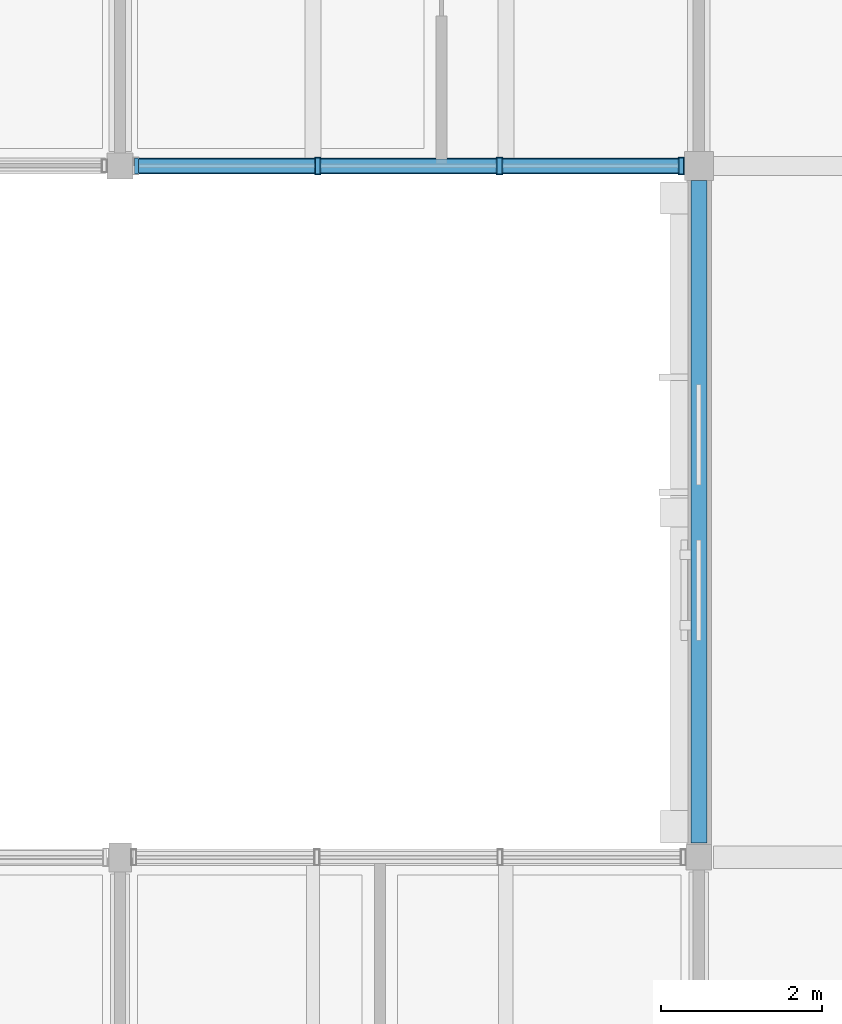
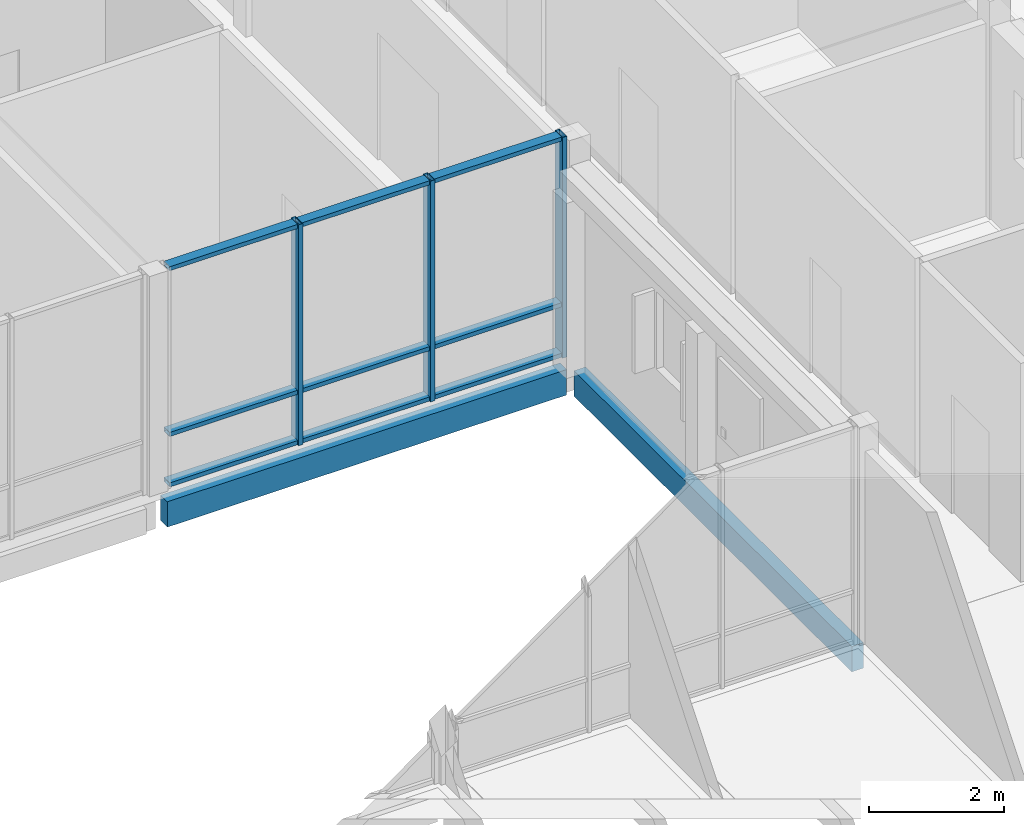
# One storey, part 10 of 115: 12 members, 2 beams, 1 element without a shape of its own.
"""IFC4 building model written with IfcOpenShell, lengths in metres."""

from ifc_helpers import new_model, si_unit, direction, frame, origin, origin_2d, place, context, subcontext, project, spatial, rectangle, hollow_rectangle, extrude, material, material_profile, profile_set, type_object, element, aggregate, save


model = new_model("IFC4")

# Units and contexts
model_context = context("Model", 3, precision=1e-05, world=origin(), true_north=direction((0.0, 1.0)))
body_context = subcontext(model_context, "Body", "Model", "MODEL_VIEW")
ifc_project = project(units=[si_unit("LENGTHUNIT", "METRE"), si_unit("AREAUNIT", "SQUARE_METRE"), si_unit("VOLUMEUNIT", "CUBIC_METRE"), si_unit("PLANEANGLEUNIT", "RADIAN"), si_unit("MASSUNIT", "GRAM", prefix="KILO")], contexts=[model_context])

# Site, building, storey
site_placement = place(None, origin())
site = spatial("IfcSite", under=ifc_project, at=site_placement, CompositionType="ELEMENT")
building_placement = place(site_placement, origin())
building = spatial("IfcBuilding", under=site, at=building_placement, Name="Hawrajan Terrace Health Centre", CompositionType="ELEMENT")
storey_placement = place(building_placement, frame((0.0, 0.0, 9.0)))
storey = spatial("IfcBuildingStorey", under=building, at=storey_placement, Name="L02", CompositionType="ELEMENT", Elevation=9.0)

# Curtain wall, members
ifc_material_1 = material(Name="Anodized bronze aluminium and low-E solar glazing", Category="aluminium")
curtain_wall_type = type_object("IfcCurtainWallType", Name="CW_Diagnostic_SeriesM1", PredefinedType="USERDEFINED", material=ifc_material_1)
curtain_wall_placement = place(storey_placement, origin())
curtain_wall = element("IfcCurtainWall", 1, at=curtain_wall_placement, inside=storey, type_object=curtain_wall_type, Name="Curtain wall CW-L02-119", ObjectType="UNITISED CURTAIN WALL", PredefinedType="USERDEFINED")
ifc_material_2 = material(Name="Anodized bronze aluminium 6063-T6", Category="aluminium")
ifc_material_profile_1 = material_profile(ifc_material_2, hollow_rectangle(XDim=0.074951171875, YDim=0.219970703125, WallThickness=0.0048828125, at=origin_2d()), Name="CW MUL 75x220")
ifc_profile_set_1 = profile_set([ifc_material_profile_1], Name="Anodized bronze aluminium 6063-T6")
member_type_1 = type_object("IfcMemberType", Name="CWMullion_75x220", PredefinedType="MULLION", material=ifc_profile_set_1)
member_1_placement = place(storey_placement, frame((14.25927734375, 27.199951171875, -0.0048828125), z_axis=(0.0, 0.0, 1.0), x_axis=(1.0, 0.0, 0.0)))
member_1 = element("IfcMember", 2, at=member_1_placement, type_object=member_type_1, Name="Mullion CW-L02-119-M2", PredefinedType="MULLION", context=body_context, shape_type="SweptSolid", body=[
    extrude(hollow_rectangle(XDim=0.074951171875, YDim=0.219970703125, WallThickness=0.0048828125, at=origin_2d()), origin(), (0.0, 0.0, 1.0), 4.0),
])
member_2_placement = place(storey_placement, frame((16.520751953125, 27.199951171875, -0.0048828125), z_axis=(0.0, 0.0, 1.0), x_axis=(1.0, 0.0, 0.0)))
member_2 = element("IfcMember", 3, at=member_2_placement, type_object=member_type_1, Name="Mullion CW-L02-119-M3", PredefinedType="MULLION", context=body_context, shape_type="SweptSolid", body=[
    extrude(hollow_rectangle(XDim=0.074951171875, YDim=0.219970703125, WallThickness=0.0048828125, at=origin_2d()), origin(), (0.0, 0.0, 1.0), 4.0),
])
member_3_placement = place(storey_placement, frame((18.782470703125, 27.199951171875, -0.0048828125), z_axis=(0.0, 0.0, 1.0), x_axis=(1.0, 0.0, 0.0)))
member_3 = element("IfcMember", 4, at=member_3_placement, type_object=member_type_1, Name="Mullion CW-L02-119-M4", PredefinedType="MULLION", context=body_context, shape_type="SweptSolid", body=[
    extrude(hollow_rectangle(XDim=0.074951171875, YDim=0.219970703125, WallThickness=0.0048828125, at=origin_2d()), origin(), (0.0, 0.0, 1.0), 4.0),
])
ifc_material_profile_2 = material_profile(ifc_material_2, hollow_rectangle(XDim=0.074951171875, YDim=0.169921875, WallThickness=0.00439453125, at=origin_2d()), Name="CW TRN 75x170")
ifc_profile_set_2 = profile_set([ifc_material_profile_2], Name="Anodized bronze aluminium 6063-T6")
member_type_2 = type_object("IfcMemberType", Name="CWTransom_75x170", PredefinedType="USERDEFINED", material=ifc_profile_set_2)
member_4_placement = place(storey_placement, frame((12.029052734375, 27.199951171875, 0.03759765625), z_axis=(1.0, 0.0, 0.0), x_axis=(0.0, 0.0, 1.0)))
member_4 = element("IfcMember", 5, at=member_4_placement, type_object=member_type_2, Name="Transom CW-L02-119-T1-1", ObjectType="TRANSOM", PredefinedType="USERDEFINED", context=body_context, shape_type="SweptSolid", body=[
    extrude(hollow_rectangle(XDim=0.074951171875, YDim=0.169921875, WallThickness=0.00439453125, at=origin_2d()), origin(), (0.0, 0.0, 1.0), 2.19873046875),
])
member_5_placement = place(storey_placement, frame((12.029052734375, 27.199951171875, 0.949951171875), z_axis=(1.0, 0.0, 0.0), x_axis=(0.0, 0.0, 1.0)))
member_5 = element("IfcMember", 6, at=member_5_placement, type_object=member_type_2, Name="Transom CW-L02-119-T1-2", ObjectType="TRANSOM", PredefinedType="USERDEFINED", context=body_context, shape_type="SweptSolid", body=[
    extrude(hollow_rectangle(XDim=0.074951171875, YDim=0.169921875, WallThickness=0.00439453125, at=origin_2d()), origin(), (0.0, 0.0, 1.0), 2.19873046875),
])
member_6_placement = place(storey_placement, frame((12.029052734375, 27.199951171875, 3.952392578125), z_axis=(1.0, 0.0, 0.0), x_axis=(0.0, 0.0, 1.0)))
member_6 = element("IfcMember", 7, at=member_6_placement, type_object=member_type_2, Name="Transom CW-L02-119-T1-3", ObjectType="TRANSOM", PredefinedType="USERDEFINED", context=body_context, shape_type="SweptSolid", body=[
    extrude(hollow_rectangle(XDim=0.074951171875, YDim=0.169921875, WallThickness=0.00439453125, at=origin_2d()), origin(), (0.0, 0.0, 1.0), 2.19873046875),
])
member_7_placement = place(storey_placement, frame((14.290771484375, 27.199951171875, 0.03759765625), z_axis=(1.0, 0.0, 0.0), x_axis=(0.0, 0.0, 1.0)))
member_7 = element("IfcMember", 8, at=member_7_placement, type_object=member_type_2, Name="Transom CW-L02-119-T2-1", ObjectType="TRANSOM", PredefinedType="USERDEFINED", context=body_context, shape_type="SweptSolid", body=[
    extrude(hollow_rectangle(XDim=0.074951171875, YDim=0.169921875, WallThickness=0.00439453125, at=origin_2d()), origin(), (0.0, 0.0, 1.0), 2.198486328125),
])
member_8_placement = place(storey_placement, frame((14.290771484375, 27.199951171875, 0.949951171875), z_axis=(1.0, 0.0, 0.0), x_axis=(0.0, 0.0, 1.0)))
member_8 = element("IfcMember", 9, at=member_8_placement, type_object=member_type_2, Name="Transom CW-L02-119-T2-2", ObjectType="TRANSOM", PredefinedType="USERDEFINED", context=body_context, shape_type="SweptSolid", body=[
    extrude(hollow_rectangle(XDim=0.074951171875, YDim=0.169921875, WallThickness=0.00439453125, at=origin_2d()), origin(), (0.0, 0.0, 1.0), 2.198486328125),
])
member_9_placement = place(storey_placement, frame((14.290771484375, 27.199951171875, 3.952392578125), z_axis=(1.0, 0.0, 0.0), x_axis=(0.0, 0.0, 1.0)))
member_9 = element("IfcMember", 10, at=member_9_placement, type_object=member_type_2, Name="Transom CW-L02-119-T2-3", ObjectType="TRANSOM", PredefinedType="USERDEFINED", context=body_context, shape_type="SweptSolid", body=[
    extrude(hollow_rectangle(XDim=0.074951171875, YDim=0.169921875, WallThickness=0.00439453125, at=origin_2d()), origin(), (0.0, 0.0, 1.0), 2.198486328125),
])
member_10_placement = place(storey_placement, frame((16.55224609375, 27.199951171875, 0.03759765625), z_axis=(1.0, 0.0, 0.0), x_axis=(0.0, 0.0, 1.0)))
member_10 = element("IfcMember", 11, at=member_10_placement, type_object=member_type_2, Name="Transom CW-L02-119-T3-1", ObjectType="TRANSOM", PredefinedType="USERDEFINED", context=body_context, shape_type="SweptSolid", body=[
    extrude(hollow_rectangle(XDim=0.074951171875, YDim=0.169921875, WallThickness=0.00439453125, at=origin_2d()), origin(), (0.0, 0.0, 1.0), 2.19873046875),
])
member_11_placement = place(storey_placement, frame((16.55224609375, 27.199951171875, 0.949951171875), z_axis=(1.0, 0.0, 0.0), x_axis=(0.0, 0.0, 1.0)))
member_11 = element("IfcMember", 12, at=member_11_placement, type_object=member_type_2, Name="Transom CW-L02-119-T3-2", ObjectType="TRANSOM", PredefinedType="USERDEFINED", context=body_context, shape_type="SweptSolid", body=[
    extrude(hollow_rectangle(XDim=0.074951171875, YDim=0.169921875, WallThickness=0.00439453125, at=origin_2d()), origin(), (0.0, 0.0, 1.0), 2.19873046875),
])
member_12_placement = place(storey_placement, frame((16.55224609375, 27.199951171875, 3.952392578125), z_axis=(1.0, 0.0, 0.0), x_axis=(0.0, 0.0, 1.0)))
member_12 = element("IfcMember", 13, at=member_12_placement, type_object=member_type_2, Name="Transom CW-L02-119-T3-3", ObjectType="TRANSOM", PredefinedType="USERDEFINED", context=body_context, shape_type="SweptSolid", body=[
    extrude(hollow_rectangle(XDim=0.074951171875, YDim=0.169921875, WallThickness=0.00439453125, at=origin_2d()), origin(), (0.0, 0.0, 1.0), 2.19873046875),
])
aggregate(curtain_wall, [member_1, member_2, member_3, member_4, member_5, member_6, member_7, member_8, member_9, member_10, member_11, member_12])

# Beams
ifc_material_3 = material(Name="Glulam GL32h", Category="wood")
ifc_material_profile_3 = material_profile(ifc_material_3, rectangle(XDim=0.199951171875, YDim=0.4599609375, at=origin_2d()), Name="GL SP 200x460")
ifc_profile_set_3 = profile_set([ifc_material_profile_3], Name="Glulam GL32h")
beam_type = type_object("IfcBeamType", Name="GlulamSpandrel_200x460", PredefinedType="SPANDREL", material=ifc_profile_set_3)
beam_1_placement = place(storey_placement, frame((11.97998046875, 27.199951171875, -0.469970703125), z_axis=(1.0, 0.0, 0.0), x_axis=(0.0, 1.0, 0.0)))
element("IfcBeam", 14, at=beam_1_placement, inside=storey, type_object=beam_type, Name="Beam BM-X-L02-W-02-Y4", PredefinedType="SPANDREL", context=body_context, shape_type="SweptSolid", body=[
    extrude(rectangle(XDim=0.199951171875, YDim=0.4599609375, at=origin_2d()), origin(), (0.0, 0.0, 1.0), 6.840087890625),
])
beam_2_placement = place(storey_placement, frame((19.0, 18.780029296875, -0.469970703125), z_axis=(0.0, 1.0, 0.0), x_axis=(-1.0, 0.0, 0.0)))
element("IfcBeam", 15, at=beam_2_placement, inside=storey, type_object=beam_type, Name="Beam BM-Y-L02-W-X03-3", PredefinedType="SPANDREL", context=body_context, shape_type="SweptSolid", body=[
    extrude(rectangle(XDim=0.199951171875, YDim=0.4599609375, at=origin_2d()), origin(), (0.0, 0.0, 1.0), 8.239990234375),
])

save(model, "model.ifc")
